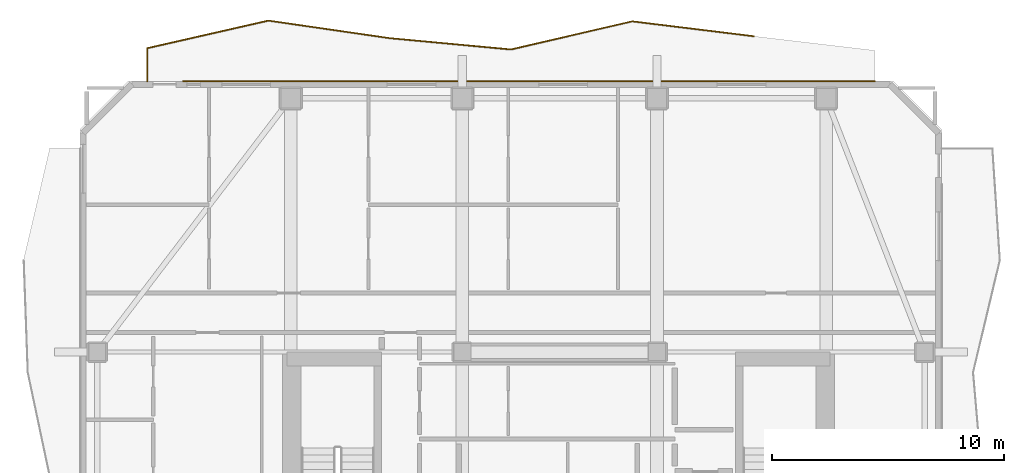
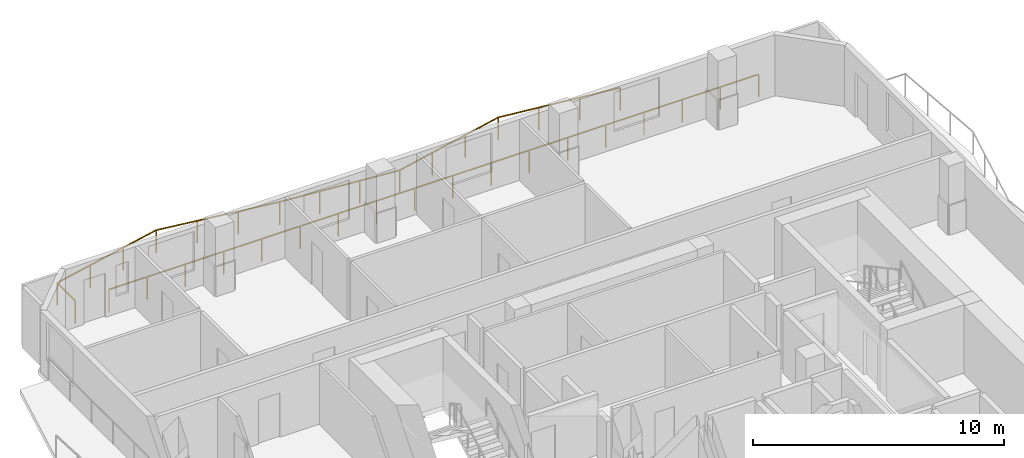
# One storey, part 10 of 10: 2 railings.
"""IFC4 building model written with IfcOpenShell, lengths in metres."""

from ifc_helpers import new_model, si_unit, direction, frame, origin, origin_2d, place, context, subcontext, project, spatial, rectangle, extrude, material, type_object, element, save


model = new_model("IFC4")

# Units and contexts
model_context = context("Model", 3, precision=1e-05, world=origin(), true_north=direction((0.0, 1.0)))
body_context = subcontext(model_context, "Body", "Model", "MODEL_VIEW")
ifc_project = project(units=[si_unit("LENGTHUNIT", "METRE"), si_unit("AREAUNIT", "SQUARE_METRE"), si_unit("VOLUMEUNIT", "CUBIC_METRE"), si_unit("PLANEANGLEUNIT", "RADIAN"), si_unit("MASSUNIT", "GRAM", prefix="KILO")], contexts=[model_context])

# Site, building, storey
site_placement = place(None, origin())
site = spatial("IfcSite", under=ifc_project, at=site_placement, CompositionType="ELEMENT")
building_placement = place(site_placement, origin())
building = spatial("IfcBuilding", under=site, at=building_placement, Name="Solanera Arch Residences", CompositionType="ELEMENT")
storey_placement = place(building_placement, frame((0.0, 0.0, 254.52001953125)))
storey = spatial("IfcBuildingStorey", under=building, at=storey_placement, Name="L74", CompositionType="ELEMENT", Elevation=254.52001953125)

# Railings
ifc_material = material(Name="Steel S355 (ASTM A992 / A572 Grade 50)", Category="steel")
railing_type = type_object("IfcRailingType", Name="Balustrade Railing BL-1100", PredefinedType="BALUSTRADE", material=ifc_material)
railing_1_placement = place(storey_placement, frame((33.366943359375, 53.031005859375, 0.0)))
element("IfcRailing", 1, at=railing_1_placement, inside=storey, type_object=railing_type, Name="L74 N Balcony Balustrade 1", PredefinedType="BALUSTRADE", context=body_context, shape_type="SweptSolid", body=[
    extrude(rectangle(XDim=0.048095703125, YDim=0.048095703125, at=origin_2d()), frame((0.0, 0.0, 1.09619140625), z_axis=(-0.99255877749, 0.121766470044, 0.0), x_axis=(-0.121766470044, -0.99255877749, 0.0)), (0.0, 0.0, 1.0), 5.273193359375),
    extrude(rectangle(XDim=0.048095703125, YDim=0.048095703125, at=origin_2d()), frame((-5.23388671875, 0.64208984375, 1.09619140625), z_axis=(-0.974167050718, -0.225828601587, 0.0), x_axis=(0.225828601587, -0.974167050718, 0.0)), (0.0, 0.0, 1.0), 5.371826171875),
    extrude(rectangle(XDim=0.048095703125, YDim=0.048095703125, at=origin_2d()), frame((-10.467041015625, -0.571044921875, 1.09619140625), z_axis=(-0.995696332574, 0.09267585068, 0.0), x_axis=(-0.09267585068, -0.995696332574, 0.0)), (0.0, 0.0, 1.0), 5.255615234375),
    extrude(rectangle(XDim=0.048095703125, YDim=0.048095703125, at=origin_2d()), frame((-15.699951171875, -0.083984375, 1.09619140625), z_axis=(-0.989647204409, 0.143521464619, 0.0), x_axis=(-0.143521464619, -0.989647204409, 0.0)), (0.0, 0.0, 1.0), 5.28857421875),
    extrude(rectangle(XDim=0.048095703125, YDim=0.048095703125, at=origin_2d()), frame((-20.933837890625, 0.675048828125, 1.09619140625), z_axis=(-0.974941713418, -0.222460458144, 0.0), x_axis=(0.222460458144, -0.974941713418, 0.0)), (0.0, 0.0, 1.0), 5.36767578125),
    extrude(rectangle(XDim=0.048095703125, YDim=0.048095703125, at=origin_2d()), frame((-26.1669921875, -0.51904296875, 1.09619140625), z_axis=(0.0, -1.0, 0.0), x_axis=(1.0, 0.0, 0.0)), (0.0, 0.0, 1.0), 1.431884765625),
    extrude(rectangle(XDim=0.0419921875, YDim=0.0419921875, at=origin_2d()), origin(), (0.0, 0.0, 1.0), 1.072021484375),
    extrude(rectangle(XDim=0.0419921875, YDim=0.0419921875, at=origin_2d()), frame((-1.74462890625, 0.214111328125, 0.0)), (0.0, 0.0, 1.0), 1.072021484375),
    extrude(rectangle(XDim=0.0419921875, YDim=0.0419921875, at=origin_2d()), frame((-3.4892578125, 0.427978515625, 0.0)), (0.0, 0.0, 1.0), 1.072021484375),
    extrude(rectangle(XDim=0.0419921875, YDim=0.0419921875, at=origin_2d()), frame((-5.23388671875, 0.64208984375, 0.0)), (0.0, 0.0, 1.0), 1.072021484375),
    extrude(rectangle(XDim=0.0419921875, YDim=0.0419921875, at=origin_2d()), frame((-6.978271484375, 0.23779296875, 0.0)), (0.0, 0.0, 1.0), 1.072021484375),
    extrude(rectangle(XDim=0.0419921875, YDim=0.0419921875, at=origin_2d()), frame((-8.72265625, -0.166748046875, 0.0)), (0.0, 0.0, 1.0), 1.072021484375),
    extrude(rectangle(XDim=0.0419921875, YDim=0.0419921875, at=origin_2d()), frame((-10.467041015625, -0.571044921875, 0.0)), (0.0, 0.0, 1.0), 1.072021484375),
    extrude(rectangle(XDim=0.0419921875, YDim=0.0419921875, at=origin_2d()), frame((-12.21142578125, -0.40869140625, 0.0)), (0.0, 0.0, 1.0), 1.072021484375),
    extrude(rectangle(XDim=0.0419921875, YDim=0.0419921875, at=origin_2d()), frame((-13.95556640625, -0.246337890625, 0.0)), (0.0, 0.0, 1.0), 1.072021484375),
    extrude(rectangle(XDim=0.0419921875, YDim=0.0419921875, at=origin_2d()), frame((-15.699951171875, -0.083984375, 0.0)), (0.0, 0.0, 1.0), 1.072021484375),
    extrude(rectangle(XDim=0.0419921875, YDim=0.0419921875, at=origin_2d()), frame((-17.444580078125, 0.1689453125, 0.0)), (0.0, 0.0, 1.0), 1.072021484375),
    extrude(rectangle(XDim=0.0419921875, YDim=0.0419921875, at=origin_2d()), frame((-19.189208984375, 0.422119140625, 0.0)), (0.0, 0.0, 1.0), 1.072021484375),
    extrude(rectangle(XDim=0.0419921875, YDim=0.0419921875, at=origin_2d()), frame((-20.933837890625, 0.675048828125, 0.0)), (0.0, 0.0, 1.0), 1.072021484375),
    extrude(rectangle(XDim=0.0419921875, YDim=0.0419921875, at=origin_2d()), frame((-22.67822265625, 0.277099609375, 0.0)), (0.0, 0.0, 1.0), 1.072021484375),
    extrude(rectangle(XDim=0.0419921875, YDim=0.0419921875, at=origin_2d()), frame((-24.422607421875, -0.12109375, 0.0)), (0.0, 0.0, 1.0), 1.072021484375),
    extrude(rectangle(XDim=0.0419921875, YDim=0.0419921875, at=origin_2d()), frame((-26.1669921875, -0.51904296875, 0.0)), (0.0, 0.0, 1.0), 1.072021484375),
    extrude(rectangle(XDim=0.0419921875, YDim=0.0419921875, at=origin_2d()), frame((-26.1669921875, -1.950927734375, 0.0)), (0.0, 0.0, 1.0), 1.072021484375),
])
railing_2_placement = place(storey_placement, frame((8.751953125, 51.080078125, 0.0)))
element("IfcRailing", 2, at=railing_2_placement, inside=storey, type_object=railing_type, Name="L74 N Balcony Balustrade 2", PredefinedType="BALUSTRADE", context=body_context, shape_type="SweptSolid", body=[
    extrude(rectangle(XDim=0.048095703125, YDim=0.048095703125, at=origin_2d()), frame((0.0, 0.0, 1.09619140625), z_axis=(1.0, 0.0, 0.0), x_axis=(0.0, 1.0, 0.0)), (0.0, 0.0, 1.0), 29.84814453125),
    extrude(rectangle(XDim=0.0419921875, YDim=0.0419921875, at=origin_2d()), origin(), (0.0, 0.0, 1.0), 1.072021484375),
    extrude(rectangle(XDim=0.0419921875, YDim=0.0419921875, at=origin_2d()), frame((1.755859375, 0.0, 0.0)), (0.0, 0.0, 1.0), 1.072021484375),
    extrude(rectangle(XDim=0.0419921875, YDim=0.0419921875, at=origin_2d()), frame((3.511474609375, 0.0, 0.0)), (0.0, 0.0, 1.0), 1.072021484375),
    extrude(rectangle(XDim=0.0419921875, YDim=0.0419921875, at=origin_2d()), frame((5.267333984375, 0.0, 0.0)), (0.0, 0.0, 1.0), 1.072021484375),
    extrude(rectangle(XDim=0.0419921875, YDim=0.0419921875, at=origin_2d()), frame((7.023193359375, 0.0, 0.0)), (0.0, 0.0, 1.0), 1.072021484375),
    extrude(rectangle(XDim=0.0419921875, YDim=0.0419921875, at=origin_2d()), frame((8.77880859375, 0.0, 0.0)), (0.0, 0.0, 1.0), 1.072021484375),
    extrude(rectangle(XDim=0.0419921875, YDim=0.0419921875, at=origin_2d()), frame((10.53466796875, 0.0, 0.0)), (0.0, 0.0, 1.0), 1.072021484375),
    extrude(rectangle(XDim=0.0419921875, YDim=0.0419921875, at=origin_2d()), frame((12.29052734375, 0.0, 0.0)), (0.0, 0.0, 1.0), 1.072021484375),
    extrude(rectangle(XDim=0.0419921875, YDim=0.0419921875, at=origin_2d()), frame((14.046142578125, 0.0, 0.0)), (0.0, 0.0, 1.0), 1.072021484375),
    extrude(rectangle(XDim=0.0419921875, YDim=0.0419921875, at=origin_2d()), frame((15.802001953125, 0.0, 0.0)), (0.0, 0.0, 1.0), 1.072021484375),
    extrude(rectangle(XDim=0.0419921875, YDim=0.0419921875, at=origin_2d()), frame((17.5576171875, 0.0, 0.0)), (0.0, 0.0, 1.0), 1.072021484375),
    extrude(rectangle(XDim=0.0419921875, YDim=0.0419921875, at=origin_2d()), frame((19.3134765625, 0.0, 0.0)), (0.0, 0.0, 1.0), 1.072021484375),
    extrude(rectangle(XDim=0.0419921875, YDim=0.0419921875, at=origin_2d()), frame((21.0693359375, 0.0, 0.0)), (0.0, 0.0, 1.0), 1.072021484375),
    extrude(rectangle(XDim=0.0419921875, YDim=0.0419921875, at=origin_2d()), frame((22.824951171875, 0.0, 0.0)), (0.0, 0.0, 1.0), 1.072021484375),
    extrude(rectangle(XDim=0.0419921875, YDim=0.0419921875, at=origin_2d()), frame((24.580810546875, 0.0, 0.0)), (0.0, 0.0, 1.0), 1.072021484375),
    extrude(rectangle(XDim=0.0419921875, YDim=0.0419921875, at=origin_2d()), frame((26.336669921875, 0.0, 0.0)), (0.0, 0.0, 1.0), 1.072021484375),
    extrude(rectangle(XDim=0.0419921875, YDim=0.0419921875, at=origin_2d()), frame((28.09228515625, 0.0, 0.0)), (0.0, 0.0, 1.0), 1.072021484375),
    extrude(rectangle(XDim=0.0419921875, YDim=0.0419921875, at=origin_2d()), frame((29.84814453125, 0.0, 0.0)), (0.0, 0.0, 1.0), 1.072021484375),
])

save(model, "model.ifc")
